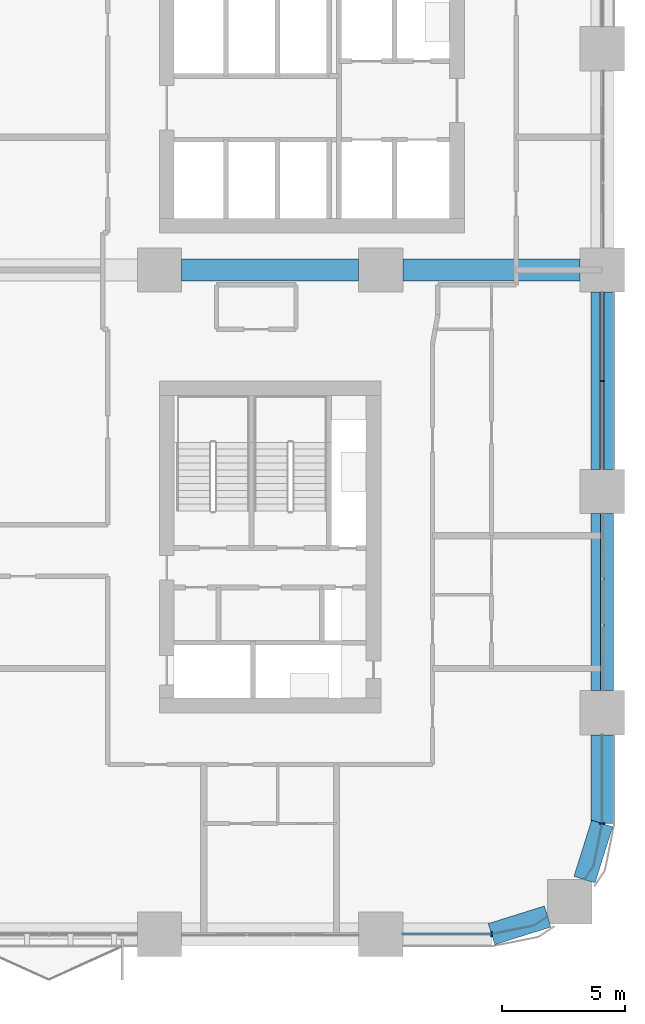
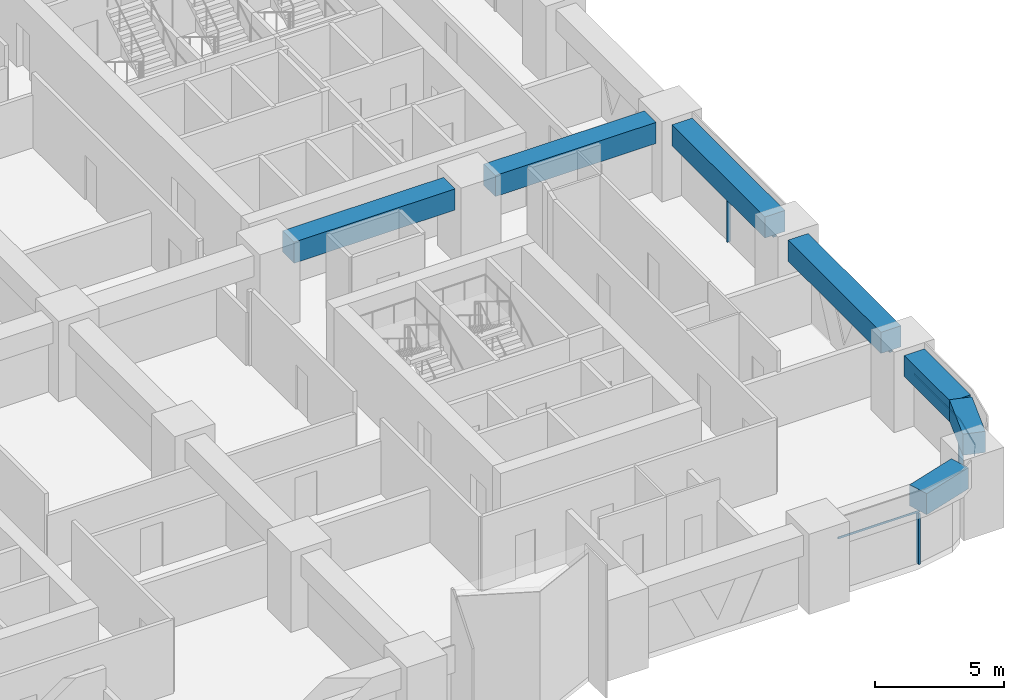
# One storey, part 5 of 22: 7 beams, 7 members, 4 elements without a shape of their own.
"""IFC4 building model written with IfcOpenShell, lengths in metres."""

from ifc_helpers import new_model, si_unit, direction, frame, origin, origin_2d, place, context, subcontext, project, spatial, polyline, rectangle, outline, extrude, material, material_profile, profile_set, type_object, element, aggregate, save


model = new_model("IFC4")

# Units and contexts
model_context = context("Model", 3, precision=1e-05, world=origin(), true_north=direction((0.0, 1.0)))
body_context = subcontext(model_context, "Body", "Model", "MODEL_VIEW")
ifc_project = project(units=[si_unit("LENGTHUNIT", "METRE"), si_unit("AREAUNIT", "SQUARE_METRE"), si_unit("VOLUMEUNIT", "CUBIC_METRE"), si_unit("PLANEANGLEUNIT", "RADIAN"), si_unit("MASSUNIT", "GRAM", prefix="KILO")], contexts=[model_context])

# Site, building, storey
site_placement = place(None, origin())
site = spatial("IfcSite", under=ifc_project, at=site_placement, CompositionType="ELEMENT")
building_placement = place(site_placement, origin())
building = spatial("IfcBuilding", under=site, at=building_placement, Name="Tessera Arch", CompositionType="ELEMENT")
storey_placement = place(building_placement, frame((0.0, 0.0, 53.800048828125)))
storey = spatial("IfcBuildingStorey", under=building, at=storey_placement, Name="L11", CompositionType="ELEMENT", Elevation=53.800048828125)

# Curtain wall, members
ifc_material_1 = material(Name="CW1 curtain wall")
curtain_wall_type_1 = type_object("IfcCurtainWallType", Name="CW1 curtain wall", PredefinedType="NOTDEFINED", material=ifc_material_1)
curtain_wall_1_placement = place(storey_placement, origin())
curtain_wall_1 = element("IfcCurtainWall", 1, at=curtain_wall_1_placement, inside=storey, type_object=curtain_wall_type_1, Name="CW1 curtain wall E54.0/2 L11", PredefinedType="NOTDEFINED")
ifc_material_2 = material(Name="Anodised aluminium pale metal", Category="aluminium")
ifc_material_profile_1 = material_profile(ifc_material_2, rectangle(XDim=0.159912109375, YDim=0.06005859375, at=origin_2d()), Name="AL 60x160")
ifc_profile_set_1 = profile_set([ifc_material_profile_1], Name="Anodised aluminium pale metal")
member_type_1 = type_object("IfcMemberType", Name="CW1 mullion", PredefinedType="MULLION", material=ifc_profile_set_1)
member_1_placement = place(storey_placement, frame((54.0, 22.5, 0.0), z_axis=(0.0, 0.0, 1.0), x_axis=(-1.0, 0.0, 0.0)))
member_1 = element("IfcMember", 2, at=member_1_placement, type_object=member_type_1, Name="CW1 mullion E54.0/2 1", PredefinedType="MULLION", context=body_context, shape_type="SweptSolid", body=[
    extrude(rectangle(XDim=0.159912109375, YDim=0.06005859375, at=origin_2d()), origin(), (0.0, 0.0, 1.0), 2.39990234375),
])
ifc_material_3 = material(Name="Anodised aluminium pale metal", Category="aluminium")
ifc_material_profile_2 = material_profile(ifc_material_3, rectangle(XDim=0.159912109375, YDim=0.10009765625, at=origin_2d()), Name="AL 160x100")
ifc_profile_set_2 = profile_set([ifc_material_profile_2], Name="Anodised aluminium pale metal")
member_type_2 = type_object("IfcMemberType", Name="CW1 transom", PredefinedType="USERDEFINED", material=ifc_profile_set_2)
member_2_placement = place(storey_placement, frame((54.0, 18.89990234375, 2.449951171875), z_axis=(0.0, 1.0, 0.0), x_axis=(-1.0, 0.0, 0.0)))
member_2 = element("IfcMember", 3, at=member_2_placement, type_object=member_type_2, Name="CW1 transom E54.0/2 1.1", ObjectType="TRANSOM", PredefinedType="USERDEFINED", context=body_context, shape_type="SweptSolid", body=[
    extrude(rectangle(XDim=0.159912109375, YDim=0.10009765625, at=origin_2d()), origin(), (0.0, 0.0, 1.0), 7.2001953125),
])
aggregate(curtain_wall_1, [member_1, member_2])

# Curtain wall, member
ifc_material_4 = material(Name="CW2 curtain wall")
curtain_wall_type_2 = type_object("IfcCurtainWallType", Name="CW2 curtain wall", PredefinedType="NOTDEFINED", material=ifc_material_4)
curtain_wall_2_placement = place(storey_placement, origin())
curtain_wall_2 = element("IfcCurtainWall", 4, at=curtain_wall_2_placement, inside=storey, type_object=curtain_wall_type_2, Name="CW2 curtain wall S0.0/4 L11", PredefinedType="NOTDEFINED")
ifc_material_5 = material(Name="Anodised aluminium pale metal", Category="aluminium")
ifc_material_profile_3 = material_profile(ifc_material_5, rectangle(XDim=0.199951171875, YDim=0.080078125, at=origin_2d()), Name="AL 80x200")
ifc_profile_set_3 = profile_set([ifc_material_profile_3], Name="Anodised aluminium pale metal")
member_type_3 = type_object("IfcMemberType", Name="CW2 mullion", PredefinedType="MULLION", material=ifc_profile_set_3)
member_3_placement = place(storey_placement, frame((49.5, 0.0, 0.0), z_axis=(0.0, 0.0, 1.0), x_axis=(0.0, 1.0, 0.0)))
member_3 = element("IfcMember", 5, at=member_3_placement, type_object=member_type_3, Name="CW2 mullion S0.0/4 1", PredefinedType="MULLION", context=body_context, shape_type="SweptSolid", body=[
    extrude(rectangle(XDim=0.199951171875, YDim=0.080078125, at=origin_2d()), origin(), (0.0, 0.0, 1.0), 2.39990234375),
])

curtain_wall_3_placement = place(storey_placement, origin())
curtain_wall_3 = element("IfcCurtainWall", 6, at=curtain_wall_3_placement, inside=storey, type_object=curtain_wall_type_2, Name="CW2 curtain wall E54.0/0 L11", PredefinedType="NOTDEFINED")
member_4_placement = place(storey_placement, frame((54.0, 4.5, 0.0), z_axis=(0.0, 0.0, 1.0), x_axis=(-1.0, 0.0, 0.0)))
member_4 = element("IfcMember", 7, at=member_4_placement, type_object=member_type_3, Name="CW2 mullion E54.0/0 1", PredefinedType="MULLION", context=body_context, shape_type="SweptSolid", body=[
    extrude(rectangle(XDim=0.199951171875, YDim=0.080078125, at=origin_2d()), origin(), (0.0, 0.0, 1.0), 2.39990234375),
])

# Member
ifc_material_6 = material(Name="Anodised aluminium pale metal", Category="aluminium")
ifc_material_profile_4 = material_profile(ifc_material_6, rectangle(XDim=0.199951171875, YDim=0.10009765625, at=origin_2d()), Name="AL 200x100")
ifc_profile_set_4 = profile_set([ifc_material_profile_4], Name="Anodised aluminium pale metal")
member_type_4 = type_object("IfcMemberType", Name="CW2 transom", PredefinedType="USERDEFINED", material=ifc_profile_set_4)
member_5_placement = place(storey_placement, frame((0.0, 0.0, 2.39990234375)))
member_5 = element("IfcMember", 8, at=member_5_placement, type_object=member_type_4, Name="CW2 transom S0.0/4 1", ObjectType="TRANSOM", PredefinedType="USERDEFINED", context=body_context, shape_type="SweptSolid", body=[
    extrude(outline(polyline([(49.4990234375, 0.010009765625), (45.89990234375, 0.010009765625), (45.89990234375, -0.010009765625), (49.5009765625, -0.010009765625), (51.22607421875, 0.3330078125), (51.78759765625, 0.70849609375), (51.7763671875, 0.72509765625), (51.21826171875, 0.351806640625), (49.4990234375, 0.010009765625)])), origin(), (0.0, 0.0, 1.0), 0.10009765625),
])

aggregate(curtain_wall_2, [member_3, member_5])

member_6_placement = place(storey_placement, frame((0.0, 0.0, 2.39990234375)))
member_6 = element("IfcMember", 9, at=member_6_placement, type_object=member_type_4, Name="CW2 transom E54.0/0 1", ObjectType="TRANSOM", PredefinedType="USERDEFINED", context=body_context, shape_type="SweptSolid", body=[
    extrude(outline(polyline([(53.648193359375, 2.78173828125), (53.27490234375, 2.2236328125), (53.29150390625, 2.21240234375), (53.6669921875, 2.77392578125), (54.010009765625, 4.4990234375), (54.010009765625, 8.10009765625), (53.989990234375, 8.10009765625), (53.989990234375, 4.5009765625), (53.648193359375, 2.78173828125)])), origin(), (0.0, 0.0, 1.0), 0.10009765625),
])

aggregate(curtain_wall_3, [member_4, member_6])

# Curtain wall, member
ifc_material_7 = material(Name="CW3 curtain wall")
curtain_wall_type_3 = type_object("IfcCurtainWallType", Name="CW3 curtain wall", PredefinedType="NOTDEFINED", material=ifc_material_7)
curtain_wall_4_placement = place(storey_placement, origin())
curtain_wall_4 = element("IfcCurtainWall", 10, at=curtain_wall_4_placement, inside=storey, type_object=curtain_wall_type_3, Name="CW3 curtain wall E54.0/1 L11", PredefinedType="NOTDEFINED")
ifc_material_8 = material(Name="Anodised aluminium pale metal", Category="aluminium")
ifc_material_profile_5 = material_profile(ifc_material_8, rectangle(XDim=0.139892578125, YDim=0.10009765625, at=origin_2d()), Name="AL 140x100")
ifc_profile_set_5 = profile_set([ifc_material_profile_5], Name="Anodised aluminium pale metal")
member_type_5 = type_object("IfcMemberType", Name="CW3 transom", PredefinedType="USERDEFINED", material=ifc_profile_set_5)
member_7_placement = place(storey_placement, frame((54.0, 9.89990234375, 2.449951171875), z_axis=(0.0, 1.0, 0.0), x_axis=(-1.0, 0.0, 0.0)))
member_7 = element("IfcMember", 11, at=member_7_placement, type_object=member_type_5, Name="CW3 transom E54.0/1 1.1", ObjectType="TRANSOM", PredefinedType="USERDEFINED", context=body_context, shape_type="SweptSolid", body=[
    extrude(rectangle(XDim=0.139892578125, YDim=0.10009765625, at=origin_2d()), origin(), (0.0, 0.0, 1.0), 7.2001953125),
])
aggregate(curtain_wall_4, [member_7])

# Beams
ifc_material_9 = material(Name="Concrete C80/95", Category="concrete")
ifc_material_profile_6 = material_profile(ifc_material_9, rectangle(XDim=0.89990234375, YDim=1.0, at=origin_2d()), Name="RC spandrel beam 900 x 1000 Concrete C80/95")
ifc_profile_set_6 = profile_set([ifc_material_profile_6], Name="Concrete C80/95")
beam_type = type_object("IfcBeamType", Name="RC spandrel beam 900 x 1000 Concrete C80/95", PredefinedType="BEAM", material=ifc_profile_set_6)
for number, where, z_axis, x_axis, name in (
    (12, (49.5, 0.0, 3.0), (0.954041251279, 0.299675309057, 0.0), (-0.299675309057, 0.954041251279, 0.0), "Spandrel beam L11 S0.0/4.2"),
    (13, (53.283203125, 2.218017578125, 3.0), (0.299675309057, 0.954041251279, 0.0), (-0.954041251279, 0.299675309057, 0.0), "Spandrel beam L11 E54.0/0.1"),
):
    element("IfcBeam", number, at=place(storey_placement, frame(where, z_axis=z_axis, x_axis=x_axis)), inside=storey, type_object=beam_type, Name=name, PredefinedType="BEAM", context=body_context, shape_type="SweptSolid", body=[
        extrude(rectangle(XDim=0.89990234375, YDim=1.0, at=origin_2d()), origin(), (0.0, 0.0, 1.0), 2.391845703125),
    ])
beam_placement = place(storey_placement, frame((54.0, 4.5, 3.0), z_axis=(0.0, 1.0, 0.0), x_axis=(-1.0, 0.0, 0.0)))
element("IfcBeam", 14, at=beam_placement, inside=storey, type_object=beam_type, Name="Spandrel beam L11 E54.0/0.2", PredefinedType="BEAM", context=body_context, shape_type="SweptSolid", body=[
    extrude(rectangle(XDim=0.89990234375, YDim=1.0, at=origin_2d()), origin(), (0.0, 0.0, 1.0), 3.60009765625),
])
for number, where, z_axis, x_axis, name in (
    (15, (54.0, 9.89990234375, 3.0), (0.0, 1.0, 0.0), (-1.0, 0.0, 0.0), "Spandrel beam L11 E54.0/1"),
    (16, (54.0, 18.89990234375, 3.0), (0.0, 1.0, 0.0), (-1.0, 0.0, 0.0), "Spandrel beam L11 E54.0/2"),
    (17, (36.89990234375, 27.0, 3.0), (1.0, 0.0, 0.0), (0.0, 1.0, 0.0), "Interface beam L11 I1C5D-C6D"),
    (18, (45.89990234375, 27.0, 3.0), (1.0, 0.0, 0.0), (0.0, 1.0, 0.0), "Interface beam L11 I1C6D-C7D"),
):
    element("IfcBeam", number, at=place(storey_placement, frame(where, z_axis=z_axis, x_axis=x_axis)), inside=storey, type_object=beam_type, Name=name, PredefinedType="BEAM", context=body_context, shape_type="SweptSolid", body=[
        extrude(rectangle(XDim=0.89990234375, YDim=1.0, at=origin_2d()), origin(), (0.0, 0.0, 1.0), 7.2001953125),
    ])

save(model, "model.ifc")
